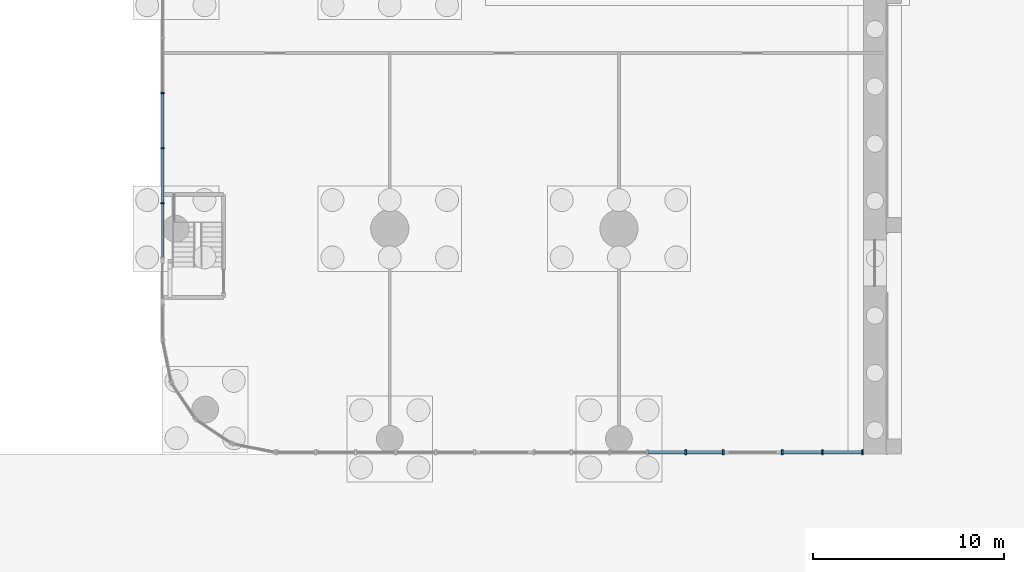
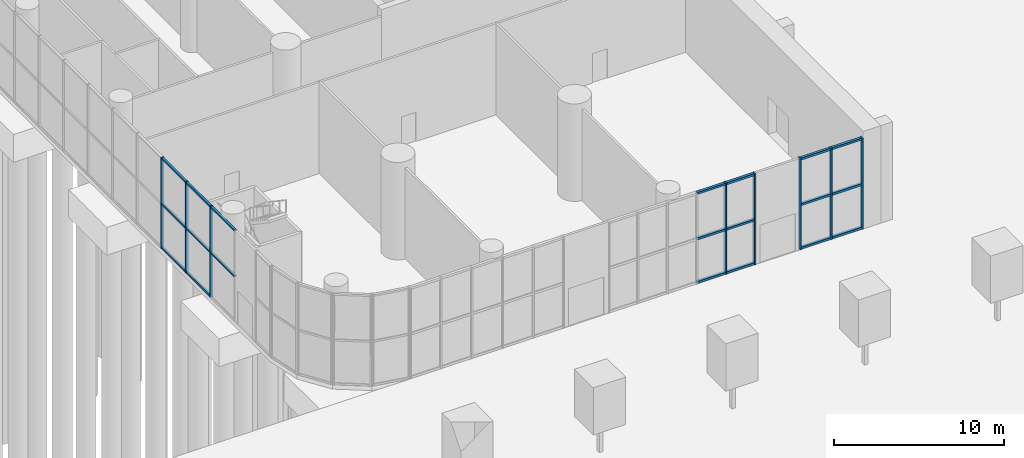
# One storey, part 6 of 26: 28 members, 3 elements without a shape of their own.
"""IFC4 building model written with IfcOpenShell, lengths in metres."""

from ifc_helpers import new_model, si_unit, direction, frame, origin, origin_2d, place, context, subcontext, project, spatial, rectangle, extrude, material, layer, layer_set, material_profile, profile_set, type_object, element, aggregate, save


model = new_model("IFC4")

# Units and contexts
model_context = context("Model", 3, precision=1e-05, world=origin(), true_north=direction((0.0, 1.0)))
body_context = subcontext(model_context, "Body", "Model", "MODEL_VIEW")
ifc_project = project(units=[si_unit("LENGTHUNIT", "METRE"), si_unit("AREAUNIT", "SQUARE_METRE"), si_unit("VOLUMEUNIT", "CUBIC_METRE"), si_unit("PLANEANGLEUNIT", "RADIAN"), si_unit("MASSUNIT", "GRAM", prefix="KILO")], contexts=[model_context])

# Site, building, storey
site_placement = place(None, origin())
site = spatial("IfcSite", under=ifc_project, at=site_placement, CompositionType="ELEMENT")
building_placement = place(site_placement, origin())
building = spatial("IfcBuilding", under=site, at=building_placement, Name="Torana Hotel and Residences", CompositionType="ELEMENT")
storey_placement = place(building_placement, origin())
storey = spatial("IfcBuildingStorey", under=building, at=storey_placement, Name="L00", CompositionType="ELEMENT", Elevation=0.0)

# Curtain wall, members
ifc_material_1 = material(Name="Dark anodised aluminium", Category="aluminium")
ifc_layer_1 = layer(ifc_material_1, 0.199951171875)
ifc_layer_set_1 = layer_set([ifc_layer_1], Name="CW1 PODIUM SHOPFRONT CURTAIN WALL")
curtain_wall_type_1 = type_object("IfcCurtainWallType", Name="CW1 PODIUM SHOPFRONT CURTAIN WALL", PredefinedType="NOTDEFINED", material=ifc_layer_set_1)
curtain_wall_1_placement = place(storey_placement, origin())
curtain_wall_1 = element("IfcCurtainWall", 1, at=curtain_wall_1_placement, inside=storey, type_object=curtain_wall_type_1, Name="Curtain wall CW1 L00 e0.7-1", PredefinedType="NOTDEFINED")
ifc_material_2 = material(Name="Dark anodised aluminium", Category="aluminium")
ifc_material_profile_1 = material_profile(ifc_material_2, rectangle(XDim=0.199951171875, YDim=0.070068359375, at=origin_2d()), Name="CW1 MULLION 70x200")
ifc_profile_set_1 = profile_set([ifc_material_profile_1], Name="Dark anodised aluminium")
member_type_1 = type_object("IfcMemberType", Name="CW1 MULLION 70x200", PredefinedType="MULLION", material=ifc_profile_set_1)
member_1_placement = place(storey_placement, frame((-47.89990234375, -21.09765625, 0.0), z_axis=(0.0, 0.0, 1.0), x_axis=(1.0, 0.0, 0.0)))
member_1 = element("IfcMember", 2, at=member_1_placement, type_object=member_type_1, Name="CW1 mullion 9", PredefinedType="MULLION", context=body_context, shape_type="SweptSolid", body=[
    extrude(rectangle(XDim=0.199951171875, YDim=0.070068359375, at=origin_2d()), origin(), (0.0, 0.0, 1.0), 6.550048828125),
])
member_2_placement = place(storey_placement, frame((-47.89990234375, -23.981689453125, 0.0), z_axis=(0.0, 0.0, 1.0), x_axis=(1.0, 0.0, 0.0)))
member_2 = element("IfcMember", 3, at=member_2_placement, type_object=member_type_1, Name="CW1 mullion 10", PredefinedType="MULLION", context=body_context, shape_type="SweptSolid", body=[
    extrude(rectangle(XDim=0.199951171875, YDim=0.070068359375, at=origin_2d()), origin(), (0.0, 0.0, 1.0), 6.550048828125),
])
member_3_placement = place(storey_placement, frame((-47.89990234375, -26.865966796875, 0.0), z_axis=(0.0, 0.0, 1.0), x_axis=(1.0, 0.0, 0.0)))
member_3 = element("IfcMember", 4, at=member_3_placement, type_object=member_type_1, Name="CW1 mullion 11", PredefinedType="MULLION", context=body_context, shape_type="SweptSolid", body=[
    extrude(rectangle(XDim=0.199951171875, YDim=0.070068359375, at=origin_2d()), origin(), (0.0, 0.0, 1.0), 6.550048828125),
])
ifc_material_3 = material(Name="Dark anodised aluminium", Category="aluminium")
ifc_material_profile_2 = material_profile(ifc_material_3, rectangle(XDim=0.14990234375, YDim=0.1201171875, at=origin_2d()), Name="CW1 TRANSOM 150x120")
ifc_profile_set_2 = profile_set([ifc_material_profile_2], Name="Dark anodised aluminium")
member_type_2 = type_object("IfcMemberType", Name="CW1 TRANSOM 150x120", PredefinedType="USERDEFINED", material=ifc_profile_set_2)
member_4_placement = place(storey_placement, frame((-47.89990234375, -21.132568359375, 0.06005859375), z_axis=(0.0, -1.0, 0.0), x_axis=(1.0, 0.0, 0.0)))
member_4 = element("IfcMember", 5, at=member_4_placement, type_object=member_type_2, Name="CW1 transom 9.1", ObjectType="TRANSOM", PredefinedType="USERDEFINED", context=body_context, shape_type="SweptSolid", body=[
    extrude(rectangle(XDim=0.14990234375, YDim=0.1201171875, at=origin_2d()), origin(), (0.0, 0.0, 1.0), 2.814208984375),
])
member_5_placement = place(storey_placement, frame((-47.89990234375, -21.132568359375, 3.199951171875), z_axis=(0.0, -1.0, 0.0), x_axis=(1.0, 0.0, 0.0)))
member_5 = element("IfcMember", 6, at=member_5_placement, type_object=member_type_2, Name="CW1 transom 9.2", ObjectType="TRANSOM", PredefinedType="USERDEFINED", context=body_context, shape_type="SweptSolid", body=[
    extrude(rectangle(XDim=0.14990234375, YDim=0.1201171875, at=origin_2d()), origin(), (0.0, 0.0, 1.0), 2.814208984375),
])
member_6_placement = place(storey_placement, frame((-47.89990234375, -21.132568359375, 6.489990234375), z_axis=(0.0, -1.0, 0.0), x_axis=(1.0, 0.0, 0.0)))
member_6 = element("IfcMember", 7, at=member_6_placement, type_object=member_type_2, Name="CW1 transom 9.3", ObjectType="TRANSOM", PredefinedType="USERDEFINED", context=body_context, shape_type="SweptSolid", body=[
    extrude(rectangle(XDim=0.14990234375, YDim=0.1201171875, at=origin_2d()), origin(), (0.0, 0.0, 1.0), 2.814208984375),
])
member_7_placement = place(storey_placement, frame((-47.89990234375, -24.016845703125, 0.06005859375), z_axis=(0.0, -1.0, 0.0), x_axis=(1.0, 0.0, 0.0)))
member_7 = element("IfcMember", 8, at=member_7_placement, type_object=member_type_2, Name="CW1 transom 10.1", ObjectType="TRANSOM", PredefinedType="USERDEFINED", context=body_context, shape_type="SweptSolid", body=[
    extrude(rectangle(XDim=0.14990234375, YDim=0.1201171875, at=origin_2d()), origin(), (0.0, 0.0, 1.0), 2.81396484375),
])
member_8_placement = place(storey_placement, frame((-47.89990234375, -24.016845703125, 3.199951171875), z_axis=(0.0, -1.0, 0.0), x_axis=(1.0, 0.0, 0.0)))
member_8 = element("IfcMember", 9, at=member_8_placement, type_object=member_type_2, Name="CW1 transom 10.2", ObjectType="TRANSOM", PredefinedType="USERDEFINED", context=body_context, shape_type="SweptSolid", body=[
    extrude(rectangle(XDim=0.14990234375, YDim=0.1201171875, at=origin_2d()), origin(), (0.0, 0.0, 1.0), 2.81396484375),
])
member_9_placement = place(storey_placement, frame((-47.89990234375, -24.016845703125, 6.489990234375), z_axis=(0.0, -1.0, 0.0), x_axis=(1.0, 0.0, 0.0)))
member_9 = element("IfcMember", 10, at=member_9_placement, type_object=member_type_2, Name="CW1 transom 10.3", ObjectType="TRANSOM", PredefinedType="USERDEFINED", context=body_context, shape_type="SweptSolid", body=[
    extrude(rectangle(XDim=0.14990234375, YDim=0.1201171875, at=origin_2d()), origin(), (0.0, 0.0, 1.0), 2.81396484375),
])
member_10_placement = place(storey_placement, frame((-47.89990234375, -26.90087890625, 3.199951171875), z_axis=(0.0, -1.0, 0.0), x_axis=(1.0, 0.0, 0.0)))
member_10 = element("IfcMember", 11, at=member_10_placement, type_object=member_type_2, Name="CW1 transom 11.2", ObjectType="TRANSOM", PredefinedType="USERDEFINED", context=body_context, shape_type="SweptSolid", body=[
    extrude(rectangle(XDim=0.14990234375, YDim=0.1201171875, at=origin_2d()), origin(), (0.0, 0.0, 1.0), 2.779052734375),
])
member_11_placement = place(storey_placement, frame((-47.89990234375, -26.90087890625, 6.489990234375), z_axis=(0.0, -1.0, 0.0), x_axis=(1.0, 0.0, 0.0)))
member_11 = element("IfcMember", 12, at=member_11_placement, type_object=member_type_2, Name="CW1 transom 11.3", ObjectType="TRANSOM", PredefinedType="USERDEFINED", context=body_context, shape_type="SweptSolid", body=[
    extrude(rectangle(XDim=0.14990234375, YDim=0.1201171875, at=origin_2d()), origin(), (0.0, 0.0, 1.0), 2.779052734375),
])
aggregate(curtain_wall_1, [member_1, member_2, member_3, member_4, member_5, member_6, member_7, member_8, member_9, member_10, member_11])

ifc_material_4 = material(Name="Dark anodised aluminium", Category="aluminium")
ifc_layer_2 = layer(ifc_material_4, 0.25)
ifc_layer_set_2 = layer_set([ifc_layer_2], Name="CW6 LOBBY ENTRANCE FRONT CURTAIN WALL")
curtain_wall_type_2 = type_object("IfcCurtainWallType", Name="CW6 LOBBY ENTRANCE FRONT CURTAIN WALL", PredefinedType="NOTDEFINED", material=ifc_layer_set_2)
curtain_wall_2_placement = place(storey_placement, origin())
curtain_wall_2 = element("IfcCurtainWall", 13, at=curtain_wall_2_placement, inside=storey, type_object=curtain_wall_type_2, Name="Curtain wall CW6 L00 e0.0-3", PredefinedType="NOTDEFINED")
ifc_material_5 = material(Name="Dark anodised aluminium", Category="aluminium")
ifc_material_profile_3 = material_profile(ifc_material_5, rectangle(XDim=0.25, YDim=0.090087890625, at=origin_2d()), Name="CW6 MULLION 90x250")
ifc_profile_set_3 = profile_set([ifc_material_profile_3], Name="Dark anodised aluminium")
member_type_3 = type_object("IfcMemberType", Name="CW6 MULLION 90x250", PredefinedType="MULLION", material=ifc_profile_set_3)
member_12_placement = place(storey_placement, frame((-20.5, -39.89990234375, 0.0), z_axis=(0.0, 0.0, 1.0), x_axis=(0.0, 1.0, 0.0)))
member_12 = element("IfcMember", 14, at=member_12_placement, type_object=member_type_3, Name="CW6 mullion 5", PredefinedType="MULLION", context=body_context, shape_type="SweptSolid", body=[
    extrude(rectangle(XDim=0.25, YDim=0.090087890625, at=origin_2d()), origin(), (0.0, 0.0, 1.0), 6.550048828125),
])
member_13_placement = place(storey_placement, frame((-18.544921875, -39.89990234375, 0.0), z_axis=(0.0, 0.0, 1.0), x_axis=(0.0, 1.0, 0.0)))
member_13 = element("IfcMember", 15, at=member_13_placement, type_object=member_type_3, Name="CW6 mullion 6", PredefinedType="MULLION", context=body_context, shape_type="SweptSolid", body=[
    extrude(rectangle(XDim=0.25, YDim=0.090087890625, at=origin_2d()), origin(), (0.0, 0.0, 1.0), 6.550048828125),
])

curtain_wall_3_placement = place(storey_placement, origin())
curtain_wall_3 = element("IfcCurtainWall", 16, at=curtain_wall_3_placement, inside=storey, type_object=curtain_wall_type_2, Name="Curtain wall CW6 L00 e0.0-5", PredefinedType="NOTDEFINED")
member_14_placement = place(storey_placement, frame((-15.455078125, -39.89990234375, 0.0), z_axis=(0.0, 0.0, 1.0), x_axis=(0.0, 1.0, 0.0)))
member_14 = element("IfcMember", 17, at=member_14_placement, type_object=member_type_3, Name="CW6 mullion 1", PredefinedType="MULLION", context=body_context, shape_type="SweptSolid", body=[
    extrude(rectangle(XDim=0.25, YDim=0.090087890625, at=origin_2d()), origin(), (0.0, 0.0, 1.0), 6.550048828125),
])
member_15_placement = place(storey_placement, frame((-13.35009765625, -39.89990234375, 0.0), z_axis=(0.0, 0.0, 1.0), x_axis=(0.0, 1.0, 0.0)))
member_15 = element("IfcMember", 18, at=member_15_placement, type_object=member_type_3, Name="CW6 mullion 2", PredefinedType="MULLION", context=body_context, shape_type="SweptSolid", body=[
    extrude(rectangle(XDim=0.25, YDim=0.090087890625, at=origin_2d()), origin(), (0.0, 0.0, 1.0), 6.550048828125),
])
member_16_placement = place(storey_placement, frame((-11.2451171875, -39.89990234375, 0.0), z_axis=(0.0, 0.0, 1.0), x_axis=(0.0, 1.0, 0.0)))
member_16 = element("IfcMember", 19, at=member_16_placement, type_object=member_type_3, Name="CW6 mullion 3", PredefinedType="MULLION", context=body_context, shape_type="SweptSolid", body=[
    extrude(rectangle(XDim=0.25, YDim=0.090087890625, at=origin_2d()), origin(), (0.0, 0.0, 1.0), 6.550048828125),
])

# Member
ifc_material_6 = material(Name="Dark anodised aluminium", Category="aluminium")
ifc_material_profile_4 = material_profile(ifc_material_6, rectangle(XDim=0.179931640625, YDim=0.14990234375, at=origin_2d()), Name="CW6 TRANSOM 180x150")
ifc_profile_set_4 = profile_set([ifc_material_profile_4], Name="Dark anodised aluminium")
member_type_4 = type_object("IfcMemberType", Name="CW6 TRANSOM 180x150", PredefinedType="USERDEFINED", material=ifc_profile_set_4)
member_17_placement = place(storey_placement, frame((-22.455078125, -39.89990234375, 0.074951171875), z_axis=(1.0, 0.0, 0.0), x_axis=(0.0, 1.0, 0.0)))
member_17 = element("IfcMember", 20, at=member_17_placement, type_object=member_type_4, Name="CW6 transom 4.1", ObjectType="TRANSOM", PredefinedType="USERDEFINED", context=body_context, shape_type="SweptSolid", body=[
    extrude(rectangle(XDim=0.179931640625, YDim=0.14990234375, at=origin_2d()), origin(), (0.0, 0.0, 1.0), 1.91015625),
])

member_18_placement = place(storey_placement, frame((-22.455078125, -39.89990234375, 3.199951171875), z_axis=(1.0, 0.0, 0.0), x_axis=(0.0, 1.0, 0.0)))
member_18 = element("IfcMember", 21, at=member_18_placement, type_object=member_type_4, Name="CW6 transom 4.2", ObjectType="TRANSOM", PredefinedType="USERDEFINED", context=body_context, shape_type="SweptSolid", body=[
    extrude(rectangle(XDim=0.179931640625, YDim=0.14990234375, at=origin_2d()), origin(), (0.0, 0.0, 1.0), 1.91015625),
])

member_19_placement = place(storey_placement, frame((-22.455078125, -39.89990234375, 6.47509765625), z_axis=(1.0, 0.0, 0.0), x_axis=(0.0, 1.0, 0.0)))
member_19 = element("IfcMember", 22, at=member_19_placement, type_object=member_type_4, Name="CW6 transom 4.3", ObjectType="TRANSOM", PredefinedType="USERDEFINED", context=body_context, shape_type="SweptSolid", body=[
    extrude(rectangle(XDim=0.179931640625, YDim=0.14990234375, at=origin_2d()), origin(), (0.0, 0.0, 1.0), 1.91015625),
])

member_20_placement = place(storey_placement, frame((-20.455078125, -39.89990234375, 0.074951171875), z_axis=(1.0, 0.0, 0.0), x_axis=(0.0, 1.0, 0.0)))
member_20 = element("IfcMember", 23, at=member_20_placement, type_object=member_type_4, Name="CW6 transom 5.1", ObjectType="TRANSOM", PredefinedType="USERDEFINED", context=body_context, shape_type="SweptSolid", body=[
    extrude(rectangle(XDim=0.179931640625, YDim=0.14990234375, at=origin_2d()), origin(), (0.0, 0.0, 1.0), 1.864990234375),
])

member_21_placement = place(storey_placement, frame((-20.455078125, -39.89990234375, 3.199951171875), z_axis=(1.0, 0.0, 0.0), x_axis=(0.0, 1.0, 0.0)))
member_21 = element("IfcMember", 24, at=member_21_placement, type_object=member_type_4, Name="CW6 transom 5.2", ObjectType="TRANSOM", PredefinedType="USERDEFINED", context=body_context, shape_type="SweptSolid", body=[
    extrude(rectangle(XDim=0.179931640625, YDim=0.14990234375, at=origin_2d()), origin(), (0.0, 0.0, 1.0), 1.864990234375),
])

member_22_placement = place(storey_placement, frame((-20.455078125, -39.89990234375, 6.47509765625), z_axis=(1.0, 0.0, 0.0), x_axis=(0.0, 1.0, 0.0)))
member_22 = element("IfcMember", 25, at=member_22_placement, type_object=member_type_4, Name="CW6 transom 5.3", ObjectType="TRANSOM", PredefinedType="USERDEFINED", context=body_context, shape_type="SweptSolid", body=[
    extrude(rectangle(XDim=0.179931640625, YDim=0.14990234375, at=origin_2d()), origin(), (0.0, 0.0, 1.0), 1.864990234375),
])

aggregate(curtain_wall_2, [member_12, member_13, member_17, member_18, member_19, member_20, member_21, member_22])

member_23_placement = place(storey_placement, frame((-15.409912109375, -39.89990234375, 0.074951171875), z_axis=(1.0, 0.0, 0.0), x_axis=(0.0, 1.0, 0.0)))
member_23 = element("IfcMember", 26, at=member_23_placement, type_object=member_type_4, Name="CW6 transom 1.1", ObjectType="TRANSOM", PredefinedType="USERDEFINED", context=body_context, shape_type="SweptSolid", body=[
    extrude(rectangle(XDim=0.179931640625, YDim=0.14990234375, at=origin_2d()), origin(), (0.0, 0.0, 1.0), 2.014892578125),
])

member_24_placement = place(storey_placement, frame((-15.409912109375, -39.89990234375, 3.199951171875), z_axis=(1.0, 0.0, 0.0), x_axis=(0.0, 1.0, 0.0)))
member_24 = element("IfcMember", 27, at=member_24_placement, type_object=member_type_4, Name="CW6 transom 1.2", ObjectType="TRANSOM", PredefinedType="USERDEFINED", context=body_context, shape_type="SweptSolid", body=[
    extrude(rectangle(XDim=0.179931640625, YDim=0.14990234375, at=origin_2d()), origin(), (0.0, 0.0, 1.0), 2.014892578125),
])

member_25_placement = place(storey_placement, frame((-15.409912109375, -39.89990234375, 6.47509765625), z_axis=(1.0, 0.0, 0.0), x_axis=(0.0, 1.0, 0.0)))
member_25 = element("IfcMember", 28, at=member_25_placement, type_object=member_type_4, Name="CW6 transom 1.3", ObjectType="TRANSOM", PredefinedType="USERDEFINED", context=body_context, shape_type="SweptSolid", body=[
    extrude(rectangle(XDim=0.179931640625, YDim=0.14990234375, at=origin_2d()), origin(), (0.0, 0.0, 1.0), 2.014892578125),
])

member_26_placement = place(storey_placement, frame((-13.304931640625, -39.89990234375, 0.074951171875), z_axis=(1.0, 0.0, 0.0), x_axis=(0.0, 1.0, 0.0)))
member_26 = element("IfcMember", 29, at=member_26_placement, type_object=member_type_4, Name="CW6 transom 2.1", ObjectType="TRANSOM", PredefinedType="USERDEFINED", context=body_context, shape_type="SweptSolid", body=[
    extrude(rectangle(XDim=0.179931640625, YDim=0.14990234375, at=origin_2d()), origin(), (0.0, 0.0, 1.0), 2.014892578125),
])

member_27_placement = place(storey_placement, frame((-13.304931640625, -39.89990234375, 3.199951171875), z_axis=(1.0, 0.0, 0.0), x_axis=(0.0, 1.0, 0.0)))
member_27 = element("IfcMember", 30, at=member_27_placement, type_object=member_type_4, Name="CW6 transom 2.2", ObjectType="TRANSOM", PredefinedType="USERDEFINED", context=body_context, shape_type="SweptSolid", body=[
    extrude(rectangle(XDim=0.179931640625, YDim=0.14990234375, at=origin_2d()), origin(), (0.0, 0.0, 1.0), 2.014892578125),
])

member_28_placement = place(storey_placement, frame((-13.304931640625, -39.89990234375, 6.47509765625), z_axis=(1.0, 0.0, 0.0), x_axis=(0.0, 1.0, 0.0)))
member_28 = element("IfcMember", 31, at=member_28_placement, type_object=member_type_4, Name="CW6 transom 2.3", ObjectType="TRANSOM", PredefinedType="USERDEFINED", context=body_context, shape_type="SweptSolid", body=[
    extrude(rectangle(XDim=0.179931640625, YDim=0.14990234375, at=origin_2d()), origin(), (0.0, 0.0, 1.0), 2.014892578125),
])

aggregate(curtain_wall_3, [member_14, member_15, member_16, member_23, member_24, member_25, member_26, member_27, member_28])

save(model, "model.ifc")
